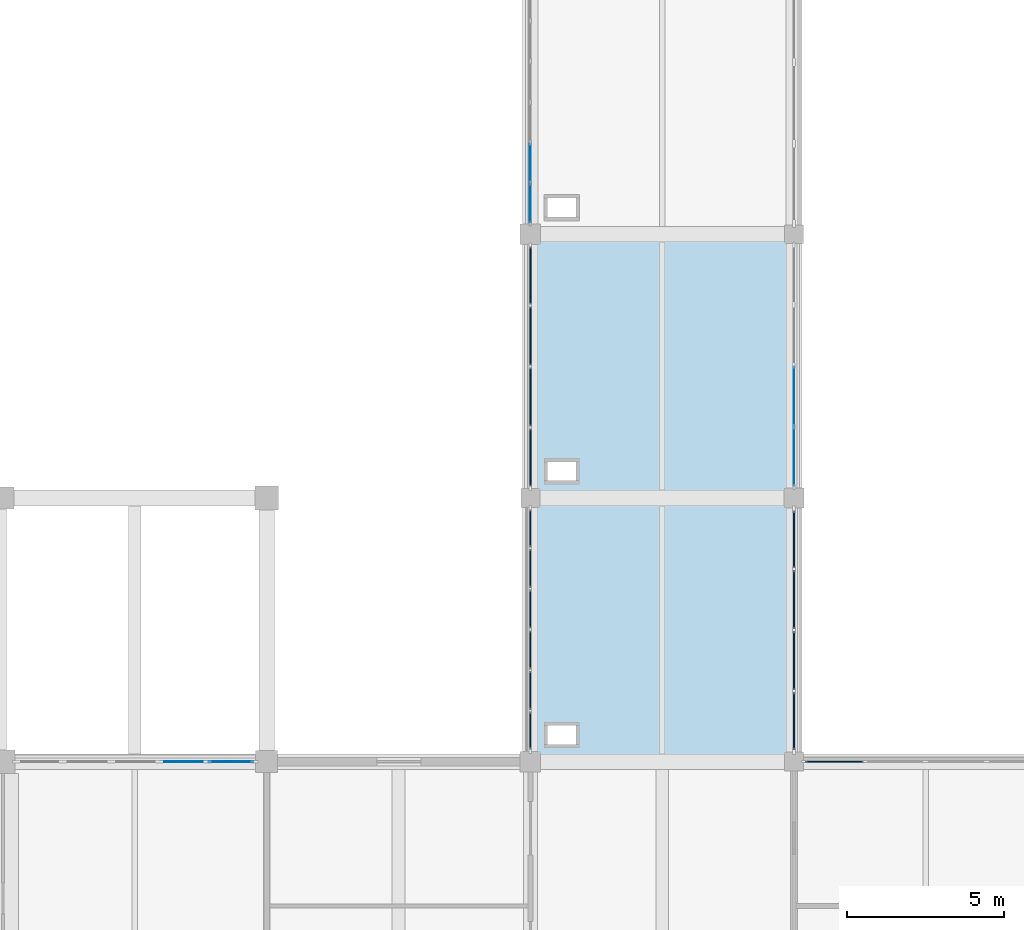
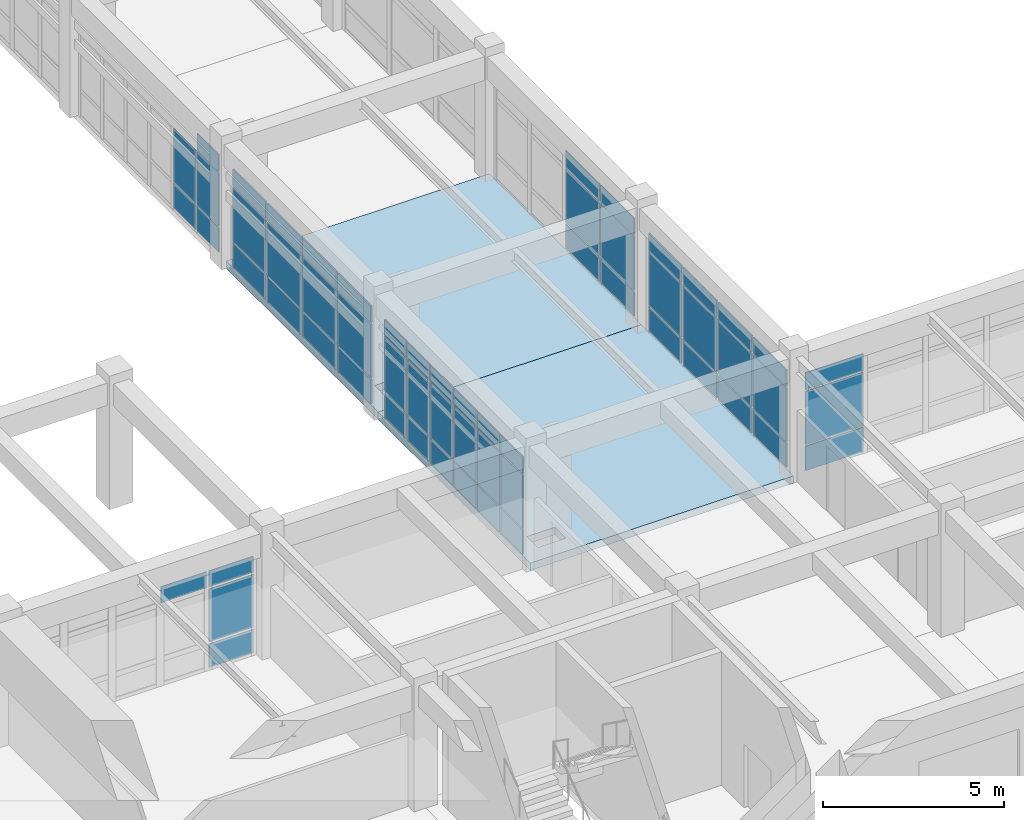
# One storey, part 69 of 99: 60 plates, 2 slabs, 7 elements without a shape of their own.
"""IFC4 building model written with IfcOpenShell, lengths in metres."""

import ifcopenshell
import ifcopenshell.guid

model = None  # the IFC model being written
_history = None  # IfcOwnerHistory: only IFC2X3 demands one
_inside = {}  # id of a spatial element -> (the spatial element, [elements in it])
_under = {}  # id of a project, library or spatial element -> (it, [spatial elements below it])
_declared = {}  # id of a project -> (the project, [libraries it declares])
_typed = {}  # id of a type object -> (the type object, [elements of that type])
_made_of = {}  # id of a material, layer set ... -> (it, [elements and type objects made of it])


def new_model(schema):
    """Start an empty IFC model of exactly this schema.

    Asked for "IFC4X3", IfcOpenShell would pick the latest addendum, in which some entities
    have other attributes; the version numbers below select the first issue.
    IFC2X3 requires an IfcOwnerHistory on every rooted entity: one is made here for all.
    """
    global model, _history
    if schema == "IFC4X3":
        model = ifcopenshell.file(schema_version=(4, 3, 0, 0))
    else:
        model = ifcopenshell.file(schema=schema)
    _inside.clear()
    _under.clear()
    _declared.clear()
    _typed.clear()
    _made_of.clear()
    _history = None
    if model.schema == "IFC2X3":
        org = make("IfcOrganization", Name="unknown")
        user = make(
            "IfcPersonAndOrganization",
            ThePerson=make("IfcPerson", FamilyName="unknown"),
            TheOrganization=org,
        )
        app = make(
            "IfcApplication",
            ApplicationDeveloper=org,
            Version="unknown",
            ApplicationFullName="unknown",
            ApplicationIdentifier="unknown",
        )
        _history = make(
            "IfcOwnerHistory",
            OwningUser=user,
            OwningApplication=app,
            ChangeAction="ADDED",
            CreationDate=0,
        )
    return model


def make(cls, **values):
    """One entity of the class cls with the attributes given. An attribute that is None is left unset."""
    return model.create_entity(
        cls, **{name: value for name, value in values.items() if value is not None}
    )


def rooted(cls, **values):
    """An entity with a GlobalId (a new one), such as an element, a storey or a relation."""
    return make(cls, GlobalId=ifcopenshell.guid.new(), OwnerHistory=_history, **values)


def si_unit(unit_type, name, prefix=None):
    """IfcSIUnit, for example si_unit("LENGTHUNIT", "METRE", prefix="MILLI")."""
    return make("IfcSIUnit", UnitType=unit_type, Prefix=prefix, Name=name)


def assignment(units):
    """IfcUnitAssignment: the units of a project."""
    return None if units is None else make("IfcUnitAssignment", Units=units)


def point(xyz):
    """IfcCartesianPoint."""
    return None if xyz is None else make("IfcCartesianPoint", Coordinates=xyz)


def direction(xyz):
    """IfcDirection."""
    return None if xyz is None else make("IfcDirection", DirectionRatios=xyz)


def frame(location, z_axis=None, x_axis=None):
    """IfcAxis2Placement3D, a coordinate frame: its origin and axes. An axis left out is left unset."""
    return make(
        "IfcAxis2Placement3D",
        Location=point(location),
        Axis=direction(z_axis),
        RefDirection=direction(x_axis),
    )


def frame_2d(location, x_axis=None):
    """IfcAxis2Placement2D, a coordinate frame in the plane: its origin and x axis."""
    return make(
        "IfcAxis2Placement2D", Location=point(location), RefDirection=direction(x_axis)
    )


def origin():
    """The frame at (0, 0, 0) with its axes left unset."""
    return frame((0.0, 0.0, 0.0))


def origin_2d():
    """The frame at (0, 0) in the plane with its x axis left unset."""
    return frame_2d((0.0, 0.0))


def place(relative_to, where):
    """IfcLocalPlacement: puts the frame where relative to a parent placement (None: the world)."""
    return make(
        "IfcLocalPlacement", PlacementRelTo=relative_to, RelativePlacement=where
    )


def context(
    kind, dimensions, precision=None, world=None, true_north=None, identifier=None
):
    """IfcGeometricRepresentationContext, for example the 3D "Model" context."""
    return make(
        "IfcGeometricRepresentationContext",
        ContextIdentifier=identifier,
        ContextType=kind,
        CoordinateSpaceDimension=dimensions,
        Precision=precision,
        WorldCoordinateSystem=world,
        TrueNorth=true_north,
    )


def subcontext(parent, identifier, kind, view, scale=None):
    """IfcGeometricRepresentationSubContext, for example "Body" below "Model"."""
    return make(
        "IfcGeometricRepresentationSubContext",
        ContextIdentifier=identifier,
        ContextType=kind,
        ParentContext=parent,
        TargetScale=scale,
        TargetView=view,
    )


def project(units=None, contexts=None):
    """IfcProject with its units and contexts."""
    return rooted(
        "IfcProject",
        Name="project",
        RepresentationContexts=contexts,
        UnitsInContext=assignment(units),
    )


def spatial(cls, under=None, at=None, **own):
    """A site, building, storey or space (cls), placed at a placement, below another one or the project."""
    s = rooted(cls, ObjectPlacement=at, **own)
    if under is not None:
        _under.setdefault(under.id(), (under, []))[1].append(s)
    return s


def polyline(points):
    """IfcPolyline through the points."""
    return make("IfcPolyline", Points=[point(p) for p in points])


def profile(cls, at=None, kind="AREA", **sizes):
    """A parametric profile (cls). Its sizes go by their IFC names, for example OverallWidth=200.0."""
    return make(cls, ProfileType=kind, Position=at, **sizes)


def rectangle(**sizes):
    """IfcRectangleProfileDef."""
    return profile("IfcRectangleProfileDef", **sizes)


def outline(outer, holes=None, kind="AREA"):
    """IfcArbitraryClosedProfileDef: a profile drawn as a closed curve; with holes, ...WithVoids."""
    if holes is None:
        return make("IfcArbitraryClosedProfileDef", ProfileType=kind, OuterCurve=outer)
    return make(
        "IfcArbitraryProfileDefWithVoids",
        ProfileType=kind,
        OuterCurve=outer,
        InnerCurves=holes,
    )


def extrude(swept, where, along, depth):
    """IfcExtrudedAreaSolid: the profile swept, set in the frame where, extruded along a direction by depth."""
    return make(
        "IfcExtrudedAreaSolid",
        SweptArea=swept,
        Position=where,
        ExtrudedDirection=direction(along),
        Depth=depth,
    )


def shape(context_of_items, identifier, shape_type, items):
    """IfcShapeRepresentation: the items that make up one representation, for example the "Body"."""
    return make(
        "IfcShapeRepresentation",
        ContextOfItems=context_of_items,
        RepresentationIdentifier=identifier,
        RepresentationType=shape_type,
        Items=items,
    )


def material(Name=None, Category=None):
    """IfcMaterial."""
    return make("IfcMaterial", Name=Name, Category=Category)


def layer(
    of_material, thickness, ventilated=None, Name=None, Category=None, Priority=None
):
    """IfcMaterialLayer: one layer of a wall or slab, of a material (None: an air gap)."""
    return make(
        "IfcMaterialLayer",
        Material=of_material,
        LayerThickness=thickness,
        IsVentilated=ventilated,
        Name=Name,
        Category=Category,
        Priority=Priority,
    )


def layer_set(layers, Name=None):
    """IfcMaterialLayerSet."""
    return make("IfcMaterialLayerSet", MaterialLayers=layers, LayerSetName=Name)


def made_of(thing, what):
    """Note that an element or type object is made of a material, layer set ...; save() writes the relation."""
    if what is not None:
        _made_of.setdefault(what.id(), (what, []))[1].append(thing)
    return thing


def type_object(cls, material=None, **own):
    """A type object (cls), such as IfcWallType, which elements share."""
    return made_of(rooted(cls, **own), material)


def element(
    cls,
    number,
    at=None,
    inside=None,
    cuts=None,
    type_object=None,
    material=None,
    context=None,
    identifier="Body",
    shape_type=None,
    held_by="IfcProductDefinitionShape",
    body=None,
    shapes=None,
    **own,
):
    """One element of the class cls, such as IfcWall. Its Tag is "e" and its number.

    at: its placement. inside: the storey or other place that contains it. cuts: it is an
    opening in that element (IfcRelVoidsElement). A single representation is given by context,
    identifier, shape_type and body (its items); several are given by shapes. held_by: the class
    of the entity that holds the representations. save() writes the other relations.
    """
    e = rooted(cls, Tag="e%d" % number, ObjectPlacement=at, **own)
    if body is not None:
        shapes = [shape(context, identifier, shape_type, body)]
    if shapes is not None:
        e.Representation = make(held_by, Representations=shapes)
    if inside is not None:
        _inside.setdefault(inside.id(), (inside, []))[1].append(e)
    if cuts is not None:
        rooted(
            "IfcRelVoidsElement", RelatingBuildingElement=cuts, RelatedOpeningElement=e
        )
    if type_object is not None:
        _typed.setdefault(type_object.id(), (type_object, []))[1].append(e)
    return made_of(e, material)


def aggregate(whole, parts):
    """IfcRelAggregates: a whole, such as a stair, and the parts it consists of."""
    return rooted("IfcRelAggregates", RelatingObject=whole, RelatedObjects=parts)


def save(model, path):
    """Write the relations noted so far, then the file.

    IfcRelAggregates (storeys below a building ...), IfcRelContainedInSpatialStructure (elements
    in a storey), IfcRelDefinesByType, IfcRelAssociatesMaterial and IfcRelDeclares: one each for
    every whole, place, type object, material and project.
    """
    for whole, parts in _under.values():
        aggregate(whole, parts)
    for where, things in _inside.values():
        rooted(
            "IfcRelContainedInSpatialStructure",
            RelatedElements=things,
            RelatingStructure=where,
        )
    for kind, things in _typed.values():
        rooted("IfcRelDefinesByType", RelatedObjects=things, RelatingType=kind)
    for what, things in _made_of.values():
        rooted("IfcRelAssociatesMaterial", RelatedObjects=things, RelatingMaterial=what)
    for by, libraries in _declared.values():
        rooted("IfcRelDeclares", RelatingContext=by, RelatedDefinitions=libraries)
    model.write(path)


model = new_model("IFC4")

# Units and contexts
model_context = context("Model", 3, precision=1e-05, world=origin(), true_north=direction((0.0, 1.0)))
body_context = subcontext(model_context, "Body", "Model", "MODEL_VIEW")
ifc_project = project(units=[si_unit("LENGTHUNIT", "METRE"), si_unit("AREAUNIT", "SQUARE_METRE"), si_unit("VOLUMEUNIT", "CUBIC_METRE"), si_unit("PLANEANGLEUNIT", "RADIAN"), si_unit("MASSUNIT", "GRAM", prefix="KILO")], contexts=[model_context])

# Site, building, storey
site_placement = place(None, origin())
site = spatial("IfcSite", under=ifc_project, at=site_placement, CompositionType="ELEMENT")
building_placement = place(site_placement, origin())
building = spatial("IfcBuilding", under=site, at=building_placement, Name="Porcellanite Civic Hall", CompositionType="ELEMENT")
storey_placement = place(building_placement, frame((0.0, 0.0, 5.760009765625)))
storey = spatial("IfcBuildingStorey", under=building, at=storey_placement, Name="L01", CompositionType="ELEMENT", Elevation=5.760009765625)

# Curtain wall, plates
ifc_material_1 = material(Name="Anodised aluminium and solar laminated glass", Category="aluminium")
ifc_layer_1 = layer(ifc_material_1, 0.179931640625)
ifc_layer_set_1 = layer_set([ifc_layer_1], Name="Anodised aluminium and solar laminated glass")
curtain_wall_type_1 = type_object("IfcCurtainWallType", Name="CW-SYS01", PredefinedType="NOTDEFINED", material=ifc_layer_set_1)
curtain_wall_1_placement = place(storey_placement, origin())
curtain_wall_1 = element("IfcCurtainWall", 1, at=curtain_wall_1_placement, inside=storey, type_object=curtain_wall_type_1, Name="Curtain wall CW-103", PredefinedType="NOTDEFINED")
ifc_material_2 = material(Name="Cyclone laminated solar-control low-E glass", Category="glass")
ifc_layer_2 = layer(ifc_material_2, 0.02392578125)
ifc_layer_set_2 = layer_set([ifc_layer_2], Name="Cyclone laminated solar-control low-E glass")
plate_type_1 = type_object("IfcPlateType", Name="CWP-01", PredefinedType="CURTAIN_PANEL", material=ifc_layer_set_2)
plate_1_placement = place(storey_placement, frame((106.547119140625, 67.199951171875, 2.784912109375), z_axis=(0.0, 0.0, 1.0), x_axis=(1.0, 0.0, 0.0)))
plate_1 = element("IfcPlate", 2, at=plate_1_placement, type_object=plate_type_1, Name="CW-103 panel 4.3", PredefinedType="CURTAIN_PANEL", context=body_context, shape_type="SweptSolid", body=[
    extrude(rectangle(XDim=1.45458984375, YDim=0.02392578125, at=origin_2d()), origin(), (0.0, 0.0, 1.0), 0.544921875),
])
plate_2_placement = place(storey_placement, frame((108.061767578125, 67.199951171875, 0.070068359375), z_axis=(0.0, 0.0, 1.0), x_axis=(1.0, 0.0, 0.0)))
plate_2 = element("IfcPlate", 3, at=plate_2_placement, type_object=plate_type_1, Name="CW-103 panel 5.1", PredefinedType="CURTAIN_PANEL", context=body_context, shape_type="SweptSolid", body=[
    extrude(rectangle(XDim=1.41455078125, YDim=0.02392578125, at=origin_2d()), origin(), (0.0, 0.0, 1.0), 0.794921875),
])
plate_3_placement = place(storey_placement, frame((108.061767578125, 67.199951171875, 0.93505859375), z_axis=(0.0, 0.0, 1.0), x_axis=(1.0, 0.0, 0.0)))
plate_3 = element("IfcPlate", 4, at=plate_3_placement, type_object=plate_type_1, Name="CW-103 panel 5.2", PredefinedType="CURTAIN_PANEL", context=body_context, shape_type="SweptSolid", body=[
    extrude(rectangle(XDim=1.41455078125, YDim=0.02392578125, at=origin_2d()), origin(), (0.0, 0.0, 1.0), 1.780029296875),
])
plate_4_placement = place(storey_placement, frame((108.061767578125, 67.199951171875, 2.784912109375), z_axis=(0.0, 0.0, 1.0), x_axis=(1.0, 0.0, 0.0)))
plate_4 = element("IfcPlate", 5, at=plate_4_placement, type_object=plate_type_1, Name="CW-103 panel 5.3", PredefinedType="CURTAIN_PANEL", context=body_context, shape_type="SweptSolid", body=[
    extrude(rectangle(XDim=1.41455078125, YDim=0.02392578125, at=origin_2d()), origin(), (0.0, 0.0, 1.0), 0.544921875),
])
aggregate(curtain_wall_1, [plate_1, plate_2, plate_3, plate_4])

ifc_material_3 = material(Name="Anodised aluminium and solar laminated glass", Category="aluminium")
ifc_layer_3 = layer(ifc_material_3, 0.179931640625)
ifc_layer_set_3 = layer_set([ifc_layer_3], Name="Anodised aluminium and solar laminated glass")
curtain_wall_type_2 = type_object("IfcCurtainWallType", Name="CW-SYS06", PredefinedType="NOTDEFINED", material=ifc_layer_set_3)
curtain_wall_2_placement = place(storey_placement, origin())
curtain_wall_2 = element("IfcCurtainWall", 6, at=curtain_wall_2_placement, inside=storey, type_object=curtain_wall_type_2, Name="Curtain wall CW-110", PredefinedType="NOTDEFINED")
plate_5_placement = place(storey_placement, frame((126.0, 78.8408203125, 0.0498046875), z_axis=(0.0, 0.0, 1.0), x_axis=(0.0, -1.0, 0.0)))
plate_5 = element("IfcPlate", 7, at=plate_5_placement, type_object=plate_type_1, Name="CW-110 panel 3.1", PredefinedType="CURTAIN_PANEL", context=body_context, shape_type="SweptSolid", body=[
    extrude(rectangle(XDim=1.878173828125, YDim=0.02392578125, at=origin_2d()), origin(), (0.0, 0.0, 1.0), 0.824951171875),
])
plate_6_placement = place(storey_placement, frame((126.0, 78.8408203125, 0.9248046875), z_axis=(0.0, 0.0, 1.0), x_axis=(0.0, -1.0, 0.0)))
plate_6 = element("IfcPlate", 8, at=plate_6_placement, type_object=plate_type_1, Name="CW-110 panel 3.2", PredefinedType="CURTAIN_PANEL", context=body_context, shape_type="SweptSolid", body=[
    extrude(rectangle(XDim=1.878173828125, YDim=0.02392578125, at=origin_2d()), origin(), (0.0, 0.0, 1.0), 1.800048828125),
])
plate_7_placement = place(storey_placement, frame((126.0, 78.8408203125, 2.77490234375), z_axis=(0.0, 0.0, 1.0), x_axis=(0.0, -1.0, 0.0)))
plate_7 = element("IfcPlate", 9, at=plate_7_placement, type_object=plate_type_1, Name="CW-110 panel 3.3", PredefinedType="CURTAIN_PANEL", context=body_context, shape_type="SweptSolid", body=[
    extrude(rectangle(XDim=1.878173828125, YDim=0.02392578125, at=origin_2d()), origin(), (0.0, 0.0, 1.0), 0.574951171875),
])
plate_8_placement = place(storey_placement, frame((126.0, 76.913818359375, 0.0498046875), z_axis=(0.0, 0.0, 1.0), x_axis=(0.0, -1.0, 0.0)))
plate_8 = element("IfcPlate", 10, at=plate_8_placement, type_object=plate_type_1, Name="CW-110 panel 4.1", PredefinedType="CURTAIN_PANEL", context=body_context, shape_type="SweptSolid", body=[
    extrude(rectangle(XDim=1.845703125, YDim=0.02392578125, at=origin_2d()), origin(), (0.0, 0.0, 1.0), 0.824951171875),
])
plate_9_placement = place(storey_placement, frame((126.0, 76.913818359375, 0.9248046875), z_axis=(0.0, 0.0, 1.0), x_axis=(0.0, -1.0, 0.0)))
plate_9 = element("IfcPlate", 11, at=plate_9_placement, type_object=plate_type_1, Name="CW-110 panel 4.2", PredefinedType="CURTAIN_PANEL", context=body_context, shape_type="SweptSolid", body=[
    extrude(rectangle(XDim=1.845703125, YDim=0.02392578125, at=origin_2d()), origin(), (0.0, 0.0, 1.0), 1.800048828125),
])
plate_10_placement = place(storey_placement, frame((126.0, 76.913818359375, 2.77490234375), z_axis=(0.0, 0.0, 1.0), x_axis=(0.0, -1.0, 0.0)))
plate_10 = element("IfcPlate", 12, at=plate_10_placement, type_object=plate_type_1, Name="CW-110 panel 4.3", PredefinedType="CURTAIN_PANEL", context=body_context, shape_type="SweptSolid", body=[
    extrude(rectangle(XDim=1.845703125, YDim=0.02392578125, at=origin_2d()), origin(), (0.0, 0.0, 1.0), 0.574951171875),
])
aggregate(curtain_wall_2, [plate_5, plate_6, plate_7, plate_8, plate_9, plate_10])

ifc_material_4 = material(Name="Anodised aluminium and solar laminated glass", Category="aluminium")
ifc_layer_4 = layer(ifc_material_4, 0.179931640625)
ifc_layer_set_4 = layer_set([ifc_layer_4], Name="Anodised aluminium and solar laminated glass")
curtain_wall_type_3 = type_object("IfcCurtainWallType", Name="CW-SYS07", PredefinedType="NOTDEFINED", material=ifc_layer_set_4)
curtain_wall_3_placement = place(storey_placement, origin())
curtain_wall_3 = element("IfcCurtainWall", 13, at=curtain_wall_3_placement, inside=storey, type_object=curtain_wall_type_3, Name="Curtain wall CW-111", PredefinedType="NOTDEFINED")
ifc_material_5 = material(Name="Cyclone laminated solar-control low-E glass", Category="glass")
ifc_layer_5 = layer(ifc_material_5, 0.02587890625)
ifc_layer_set_5 = layer_set([ifc_layer_5], Name="Cyclone laminated solar-control low-E glass")
plate_type_2 = type_object("IfcPlateType", Name="CWP-02", PredefinedType="CURTAIN_PANEL", material=ifc_layer_set_5)
plate_11_placement = place(storey_placement, frame((117.60009765625, 84.98876953125, 0.0498046875), z_axis=(0.0, 0.0, 1.0), x_axis=(0.0, 1.0, 0.0)))
plate_11 = element("IfcPlate", 14, at=plate_11_placement, type_object=plate_type_2, Name="CW-111 panel 1.1", PredefinedType="CURTAIN_PANEL", context=body_context, shape_type="SweptSolid", body=[
    extrude(rectangle(XDim=1.20556640625, YDim=0.02587890625, at=origin_2d()), origin(), (0.0, 0.0, 1.0), 0.824951171875),
])
plate_12_placement = place(storey_placement, frame((117.60009765625, 84.98876953125, 0.9248046875), z_axis=(0.0, 0.0, 1.0), x_axis=(0.0, 1.0, 0.0)))
plate_12 = element("IfcPlate", 15, at=plate_12_placement, type_object=plate_type_2, Name="CW-111 panel 1.2", PredefinedType="CURTAIN_PANEL", context=body_context, shape_type="SweptSolid", body=[
    extrude(rectangle(XDim=1.20556640625, YDim=0.02587890625, at=origin_2d()), origin(), (0.0, 0.0, 1.0), 1.800048828125),
])
plate_13_placement = place(storey_placement, frame((117.60009765625, 84.98876953125, 2.77490234375), z_axis=(0.0, 0.0, 1.0), x_axis=(0.0, 1.0, 0.0)))
plate_13 = element("IfcPlate", 16, at=plate_13_placement, type_object=plate_type_2, Name="CW-111 panel 1.3", PredefinedType="CURTAIN_PANEL", context=body_context, shape_type="SweptSolid", body=[
    extrude(rectangle(XDim=1.20556640625, YDim=0.02587890625, at=origin_2d()), origin(), (0.0, 0.0, 1.0), 0.574951171875),
])
plate_14_placement = place(storey_placement, frame((117.60009765625, 86.269287109375, 0.0498046875), z_axis=(0.0, 0.0, 1.0), x_axis=(0.0, 1.0, 0.0)))
plate_14 = element("IfcPlate", 17, at=plate_14_placement, type_object=plate_type_2, Name="CW-111 panel 2.1", PredefinedType="CURTAIN_PANEL", context=body_context, shape_type="SweptSolid", body=[
    extrude(rectangle(XDim=1.235595703125, YDim=0.02587890625, at=origin_2d()), origin(), (0.0, 0.0, 1.0), 0.824951171875),
])
plate_15_placement = place(storey_placement, frame((117.60009765625, 86.269287109375, 0.9248046875), z_axis=(0.0, 0.0, 1.0), x_axis=(0.0, 1.0, 0.0)))
plate_15 = element("IfcPlate", 18, at=plate_15_placement, type_object=plate_type_2, Name="CW-111 panel 2.2", PredefinedType="CURTAIN_PANEL", context=body_context, shape_type="SweptSolid", body=[
    extrude(rectangle(XDim=1.235595703125, YDim=0.02587890625, at=origin_2d()), origin(), (0.0, 0.0, 1.0), 1.800048828125),
])
aggregate(curtain_wall_3, [plate_11, plate_12, plate_13, plate_14, plate_15])

curtain_wall_4_placement = place(storey_placement, origin())
curtain_wall_4 = element("IfcCurtainWall", 19, at=curtain_wall_4_placement, inside=storey, type_object=curtain_wall_type_2, Name="Curtain wall CW-116", PredefinedType="NOTDEFINED")
ifc_material_6 = material(Name="Cyclone laminated solar-control low-E glass", Category="glass")
ifc_layer_6 = layer(ifc_material_6, 0.035888671875)
ifc_layer_set_6 = layer_set([ifc_layer_6], Name="Cyclone laminated solar-control low-E glass")
plate_type_3 = type_object("IfcPlateType", Name="CWP-07", PredefinedType="CURTAIN_PANEL", material=ifc_layer_set_6)
plate_16_placement = place(storey_placement, frame((127.288818359375, 67.199951171875, 0.0498046875), z_axis=(0.0, 0.0, 1.0), x_axis=(1.0, 0.0, 0.0)))
plate_16 = element("IfcPlate", 20, at=plate_16_placement, type_object=plate_type_3, Name="CW-116 panel 1.1", PredefinedType="CURTAIN_PANEL", context=body_context, shape_type="SweptSolid", body=[
    extrude(rectangle(XDim=1.845703125, YDim=0.035888671875, at=origin_2d()), origin(), (0.0, 0.0, 1.0), 0.824951171875),
])
plate_17_placement = place(storey_placement, frame((127.288818359375, 67.199951171875, 0.9248046875), z_axis=(0.0, 0.0, 1.0), x_axis=(1.0, 0.0, 0.0)))
plate_17 = element("IfcPlate", 21, at=plate_17_placement, type_object=plate_type_3, Name="CW-116 panel 1.2", PredefinedType="CURTAIN_PANEL", context=body_context, shape_type="SweptSolid", body=[
    extrude(rectangle(XDim=1.845703125, YDim=0.035888671875, at=origin_2d()), origin(), (0.0, 0.0, 1.0), 1.800048828125),
])
plate_18_placement = place(storey_placement, frame((127.288818359375, 67.199951171875, 2.77490234375), z_axis=(0.0, 0.0, 1.0), x_axis=(1.0, 0.0, 0.0)))
plate_18 = element("IfcPlate", 22, at=plate_18_placement, type_object=plate_type_3, Name="CW-116 panel 1.3", PredefinedType="CURTAIN_PANEL", context=body_context, shape_type="SweptSolid", body=[
    extrude(rectangle(XDim=1.845703125, YDim=0.035888671875, at=origin_2d()), origin(), (0.0, 0.0, 1.0), 0.574951171875),
])
aggregate(curtain_wall_4, [plate_16, plate_17, plate_18])

curtain_wall_5_placement = place(storey_placement, origin())
curtain_wall_5 = element("IfcCurtainWall", 23, at=curtain_wall_5_placement, inside=storey, type_object=curtain_wall_type_1, Name="Curtain wall CW-107", PredefinedType="NOTDEFINED")
ifc_material_7 = material(Name="Insulated ochre aluminium spandrel panel", Category="aluminium")
ifc_layer_7 = layer(ifc_material_7, 0.0380859375)
ifc_layer_set_7 = layer_set([ifc_layer_7], Name="Insulated ochre aluminium spandrel panel")
plate_type_4 = type_object("IfcPlateType", Name="CWP-08", PredefinedType="CURTAIN_PANEL", material=ifc_layer_set_7)
plate_19_placement = place(storey_placement, frame((117.60009765625, 68.191162109375, 0.06005859375), z_axis=(0.0, 0.0, 1.0), x_axis=(0.0, 1.0, 0.0)))
plate_19 = element("IfcPlate", 24, at=plate_19_placement, type_object=plate_type_4, Name="CW-107 panel 1.1", PredefinedType="CURTAIN_PANEL", context=body_context, shape_type="SweptSolid", body=[
    extrude(rectangle(XDim=1.1904296875, YDim=0.0380859375, at=origin_2d()), origin(), (0.0, 0.0, 1.0), 0.81005859375),
])
plate_20_placement = place(storey_placement, frame((117.60009765625, 68.191162109375, 0.929931640625), z_axis=(0.0, 0.0, 1.0), x_axis=(0.0, 1.0, 0.0)))
plate_20 = element("IfcPlate", 25, at=plate_20_placement, type_object=plate_type_4, Name="CW-107 panel 1.2", PredefinedType="CURTAIN_PANEL", context=body_context, shape_type="SweptSolid", body=[
    extrude(rectangle(XDim=1.1904296875, YDim=0.0380859375, at=origin_2d()), origin(), (0.0, 0.0, 1.0), 1.7900390625),
])
plate_21_placement = place(storey_placement, frame((117.60009765625, 68.191162109375, 2.780029296875), z_axis=(0.0, 0.0, 1.0), x_axis=(0.0, 1.0, 0.0)))
plate_21 = element("IfcPlate", 26, at=plate_21_placement, type_object=plate_type_4, Name="CW-107 panel 1.3", PredefinedType="CURTAIN_PANEL", context=body_context, shape_type="SweptSolid", body=[
    extrude(rectangle(XDim=1.1904296875, YDim=0.0380859375, at=origin_2d()), origin(), (0.0, 0.0, 1.0), 0.56005859375),
])
plate_22_placement = place(storey_placement, frame((117.60009765625, 69.46923828125, 0.06005859375), z_axis=(0.0, 0.0, 1.0), x_axis=(0.0, 1.0, 0.0)))
plate_22 = element("IfcPlate", 27, at=plate_22_placement, type_object=plate_type_4, Name="CW-107 panel 2.1", PredefinedType="CURTAIN_PANEL", context=body_context, shape_type="SweptSolid", body=[
    extrude(rectangle(XDim=1.2255859375, YDim=0.0380859375, at=origin_2d()), origin(), (0.0, 0.0, 1.0), 0.81005859375),
])
plate_23_placement = place(storey_placement, frame((117.60009765625, 69.46923828125, 0.929931640625), z_axis=(0.0, 0.0, 1.0), x_axis=(0.0, 1.0, 0.0)))
plate_23 = element("IfcPlate", 28, at=plate_23_placement, type_object=plate_type_4, Name="CW-107 panel 2.2", PredefinedType="CURTAIN_PANEL", context=body_context, shape_type="SweptSolid", body=[
    extrude(rectangle(XDim=1.2255859375, YDim=0.0380859375, at=origin_2d()), origin(), (0.0, 0.0, 1.0), 1.7900390625),
])
plate_24_placement = place(storey_placement, frame((117.60009765625, 69.46923828125, 2.780029296875), z_axis=(0.0, 0.0, 1.0), x_axis=(0.0, 1.0, 0.0)))
plate_24 = element("IfcPlate", 29, at=plate_24_placement, type_object=plate_type_4, Name="CW-107 panel 2.3", PredefinedType="CURTAIN_PANEL", context=body_context, shape_type="SweptSolid", body=[
    extrude(rectangle(XDim=1.2255859375, YDim=0.0380859375, at=origin_2d()), origin(), (0.0, 0.0, 1.0), 0.56005859375),
])
plate_25_placement = place(storey_placement, frame((117.60009765625, 70.7646484375, 0.06005859375), z_axis=(0.0, 0.0, 1.0), x_axis=(0.0, 1.0, 0.0)))
plate_25 = element("IfcPlate", 30, at=plate_25_placement, type_object=plate_type_4, Name="CW-107 panel 3.1", PredefinedType="CURTAIN_PANEL", context=body_context, shape_type="SweptSolid", body=[
    extrude(rectangle(XDim=1.2255859375, YDim=0.0380859375, at=origin_2d()), origin(), (0.0, 0.0, 1.0), 0.81005859375),
])
plate_26_placement = place(storey_placement, frame((117.60009765625, 70.7646484375, 0.929931640625), z_axis=(0.0, 0.0, 1.0), x_axis=(0.0, 1.0, 0.0)))
plate_26 = element("IfcPlate", 31, at=plate_26_placement, type_object=plate_type_4, Name="CW-107 panel 3.2", PredefinedType="CURTAIN_PANEL", context=body_context, shape_type="SweptSolid", body=[
    extrude(rectangle(XDim=1.2255859375, YDim=0.0380859375, at=origin_2d()), origin(), (0.0, 0.0, 1.0), 1.7900390625),
])
plate_27_placement = place(storey_placement, frame((117.60009765625, 70.7646484375, 2.780029296875), z_axis=(0.0, 0.0, 1.0), x_axis=(0.0, 1.0, 0.0)))
plate_27 = element("IfcPlate", 32, at=plate_27_placement, type_object=plate_type_4, Name="CW-107 panel 3.3", PredefinedType="CURTAIN_PANEL", context=body_context, shape_type="SweptSolid", body=[
    extrude(rectangle(XDim=1.2255859375, YDim=0.0380859375, at=origin_2d()), origin(), (0.0, 0.0, 1.0), 0.56005859375),
])
plate_28_placement = place(storey_placement, frame((117.60009765625, 72.060302734375, 0.06005859375), z_axis=(0.0, 0.0, 1.0), x_axis=(0.0, 1.0, 0.0)))
plate_28 = element("IfcPlate", 33, at=plate_28_placement, type_object=plate_type_4, Name="CW-107 panel 4.1", PredefinedType="CURTAIN_PANEL", context=body_context, shape_type="SweptSolid", body=[
    extrude(rectangle(XDim=1.2255859375, YDim=0.0380859375, at=origin_2d()), origin(), (0.0, 0.0, 1.0), 0.81005859375),
])
plate_29_placement = place(storey_placement, frame((117.60009765625, 72.060302734375, 0.929931640625), z_axis=(0.0, 0.0, 1.0), x_axis=(0.0, 1.0, 0.0)))
plate_29 = element("IfcPlate", 34, at=plate_29_placement, type_object=plate_type_4, Name="CW-107 panel 4.2", PredefinedType="CURTAIN_PANEL", context=body_context, shape_type="SweptSolid", body=[
    extrude(rectangle(XDim=1.2255859375, YDim=0.0380859375, at=origin_2d()), origin(), (0.0, 0.0, 1.0), 1.7900390625),
])
plate_30_placement = place(storey_placement, frame((117.60009765625, 72.060302734375, 2.780029296875), z_axis=(0.0, 0.0, 1.0), x_axis=(0.0, 1.0, 0.0)))
plate_30 = element("IfcPlate", 35, at=plate_30_placement, type_object=plate_type_4, Name="CW-107 panel 4.3", PredefinedType="CURTAIN_PANEL", context=body_context, shape_type="SweptSolid", body=[
    extrude(rectangle(XDim=1.2255859375, YDim=0.0380859375, at=origin_2d()), origin(), (0.0, 0.0, 1.0), 0.56005859375),
])
plate_31_placement = place(storey_placement, frame((117.60009765625, 73.355712890625, 0.06005859375), z_axis=(0.0, 0.0, 1.0), x_axis=(0.0, 1.0, 0.0)))
plate_31 = element("IfcPlate", 36, at=plate_31_placement, type_object=plate_type_4, Name="CW-107 panel 5.1", PredefinedType="CURTAIN_PANEL", context=body_context, shape_type="SweptSolid", body=[
    extrude(rectangle(XDim=1.2255859375, YDim=0.0380859375, at=origin_2d()), origin(), (0.0, 0.0, 1.0), 0.81005859375),
])
plate_32_placement = place(storey_placement, frame((117.60009765625, 73.355712890625, 0.929931640625), z_axis=(0.0, 0.0, 1.0), x_axis=(0.0, 1.0, 0.0)))
plate_32 = element("IfcPlate", 37, at=plate_32_placement, type_object=plate_type_4, Name="CW-107 panel 5.2", PredefinedType="CURTAIN_PANEL", context=body_context, shape_type="SweptSolid", body=[
    extrude(rectangle(XDim=1.2255859375, YDim=0.0380859375, at=origin_2d()), origin(), (0.0, 0.0, 1.0), 1.7900390625),
])
plate_33_placement = place(storey_placement, frame((117.60009765625, 73.355712890625, 2.780029296875), z_axis=(0.0, 0.0, 1.0), x_axis=(0.0, 1.0, 0.0)))
plate_33 = element("IfcPlate", 38, at=plate_33_placement, type_object=plate_type_4, Name="CW-107 panel 5.3", PredefinedType="CURTAIN_PANEL", context=body_context, shape_type="SweptSolid", body=[
    extrude(rectangle(XDim=1.2255859375, YDim=0.0380859375, at=origin_2d()), origin(), (0.0, 0.0, 1.0), 0.56005859375),
])
plate_34_placement = place(storey_placement, frame((117.60009765625, 74.6337890625, 0.06005859375), z_axis=(0.0, 0.0, 1.0), x_axis=(0.0, 1.0, 0.0)))
plate_34 = element("IfcPlate", 39, at=plate_34_placement, type_object=plate_type_4, Name="CW-107 panel 6.1", PredefinedType="CURTAIN_PANEL", context=body_context, shape_type="SweptSolid", body=[
    extrude(rectangle(XDim=1.1904296875, YDim=0.0380859375, at=origin_2d()), origin(), (0.0, 0.0, 1.0), 0.81005859375),
])
plate_35_placement = place(storey_placement, frame((117.60009765625, 74.6337890625, 0.929931640625), z_axis=(0.0, 0.0, 1.0), x_axis=(0.0, 1.0, 0.0)))
plate_35 = element("IfcPlate", 40, at=plate_35_placement, type_object=plate_type_4, Name="CW-107 panel 6.2", PredefinedType="CURTAIN_PANEL", context=body_context, shape_type="SweptSolid", body=[
    extrude(rectangle(XDim=1.1904296875, YDim=0.0380859375, at=origin_2d()), origin(), (0.0, 0.0, 1.0), 1.7900390625),
])
plate_36_placement = place(storey_placement, frame((117.60009765625, 74.6337890625, 2.780029296875), z_axis=(0.0, 0.0, 1.0), x_axis=(0.0, 1.0, 0.0)))
plate_36 = element("IfcPlate", 41, at=plate_36_placement, type_object=plate_type_4, Name="CW-107 panel 6.3", PredefinedType="CURTAIN_PANEL", context=body_context, shape_type="SweptSolid", body=[
    extrude(rectangle(XDim=1.1904296875, YDim=0.0380859375, at=origin_2d()), origin(), (0.0, 0.0, 1.0), 0.56005859375),
])
aggregate(curtain_wall_5, [plate_19, plate_20, plate_21, plate_22, plate_23, plate_24, plate_25, plate_26, plate_27, plate_28, plate_29, plate_30, plate_31, plate_32, plate_33, plate_34, plate_35, plate_36])

ifc_material_8 = material(Name="Anodised aluminium and solar laminated glass", Category="aluminium")
ifc_layer_8 = layer(ifc_material_8, 0.179931640625)
ifc_layer_set_8 = layer_set([ifc_layer_8], Name="Anodised aluminium and solar laminated glass")
curtain_wall_type_4 = type_object("IfcCurtainWallType", Name="CW-SYS03", PredefinedType="NOTDEFINED", material=ifc_layer_set_8)
curtain_wall_6_placement = place(storey_placement, origin())
curtain_wall_6 = element("IfcCurtainWall", 42, at=curtain_wall_6_placement, inside=storey, type_object=curtain_wall_type_4, Name="Curtain wall CW-108", PredefinedType="NOTDEFINED")
ifc_material_9 = material(Name="Insulated ochre aluminium spandrel panel", Category="aluminium")
ifc_layer_9 = layer(ifc_material_9, 0.0419921875)
ifc_layer_set_9 = layer_set([ifc_layer_9], Name="Insulated ochre aluminium spandrel panel")
plate_type_5 = type_object("IfcPlateType", Name="CWP-09", PredefinedType="CURTAIN_PANEL", material=ifc_layer_set_9)
plate_37_placement = place(storey_placement, frame((126.0, 74.282470703125, 0.054931640625), z_axis=(0.0, 0.0, 1.0), x_axis=(0.0, -1.0, 0.0)))
plate_37 = element("IfcPlate", 43, at=plate_37_placement, type_object=plate_type_5, Name="CW-108 panel 1.1", PredefinedType="CURTAIN_PANEL", context=body_context, shape_type="SweptSolid", body=[
    extrude(rectangle(XDim=1.8232421875, YDim=0.0419921875, at=origin_2d()), origin(), (0.0, 0.0, 1.0), 0.8173828125),
])
plate_38_placement = place(storey_placement, frame((126.0, 74.282470703125, 0.927490234375), z_axis=(0.0, 0.0, 1.0), x_axis=(0.0, -1.0, 0.0)))
plate_38 = element("IfcPlate", 44, at=plate_38_placement, type_object=plate_type_5, Name="CW-108 panel 1.2", PredefinedType="CURTAIN_PANEL", context=body_context, shape_type="SweptSolid", body=[
    extrude(rectangle(XDim=1.8232421875, YDim=0.0419921875, at=origin_2d()), origin(), (0.0, 0.0, 1.0), 1.794921875),
])
plate_39_placement = place(storey_placement, frame((126.0, 74.282470703125, 2.777587890625), z_axis=(0.0, 0.0, 1.0), x_axis=(0.0, -1.0, 0.0)))
plate_39 = element("IfcPlate", 45, at=plate_39_placement, type_object=plate_type_5, Name="CW-108 panel 1.3", PredefinedType="CURTAIN_PANEL", context=body_context, shape_type="SweptSolid", body=[
    extrude(rectangle(XDim=1.8232421875, YDim=0.0419921875, at=origin_2d()), origin(), (0.0, 0.0, 1.0), 0.5673828125),
])
plate_40_placement = place(storey_placement, frame((126.0, 72.359130859375, 0.054931640625), z_axis=(0.0, 0.0, 1.0), x_axis=(0.0, -1.0, 0.0)))
plate_40 = element("IfcPlate", 46, at=plate_40_placement, type_object=plate_type_5, Name="CW-108 panel 2.1", PredefinedType="CURTAIN_PANEL", context=body_context, shape_type="SweptSolid", body=[
    extrude(rectangle(XDim=1.86328125, YDim=0.0419921875, at=origin_2d()), origin(), (0.0, 0.0, 1.0), 0.8173828125),
])
plate_41_placement = place(storey_placement, frame((126.0, 72.359130859375, 0.927490234375), z_axis=(0.0, 0.0, 1.0), x_axis=(0.0, -1.0, 0.0)))
plate_41 = element("IfcPlate", 47, at=plate_41_placement, type_object=plate_type_5, Name="CW-108 panel 2.2", PredefinedType="CURTAIN_PANEL", context=body_context, shape_type="SweptSolid", body=[
    extrude(rectangle(XDim=1.86328125, YDim=0.0419921875, at=origin_2d()), origin(), (0.0, 0.0, 1.0), 1.794921875),
])
plate_42_placement = place(storey_placement, frame((126.0, 72.359130859375, 2.777587890625), z_axis=(0.0, 0.0, 1.0), x_axis=(0.0, -1.0, 0.0)))
plate_42 = element("IfcPlate", 48, at=plate_42_placement, type_object=plate_type_5, Name="CW-108 panel 2.3", PredefinedType="CURTAIN_PANEL", context=body_context, shape_type="SweptSolid", body=[
    extrude(rectangle(XDim=1.86328125, YDim=0.0419921875, at=origin_2d()), origin(), (0.0, 0.0, 1.0), 0.5673828125),
])
plate_43_placement = place(storey_placement, frame((126.0, 70.415771484375, 0.054931640625), z_axis=(0.0, 0.0, 1.0), x_axis=(0.0, -1.0, 0.0)))
plate_43 = element("IfcPlate", 49, at=plate_43_placement, type_object=plate_type_5, Name="CW-108 panel 3.1", PredefinedType="CURTAIN_PANEL", context=body_context, shape_type="SweptSolid", body=[
    extrude(rectangle(XDim=1.86328125, YDim=0.0419921875, at=origin_2d()), origin(), (0.0, 0.0, 1.0), 0.8173828125),
])
plate_44_placement = place(storey_placement, frame((126.0, 70.415771484375, 0.927490234375), z_axis=(0.0, 0.0, 1.0), x_axis=(0.0, -1.0, 0.0)))
plate_44 = element("IfcPlate", 50, at=plate_44_placement, type_object=plate_type_5, Name="CW-108 panel 3.2", PredefinedType="CURTAIN_PANEL", context=body_context, shape_type="SweptSolid", body=[
    extrude(rectangle(XDim=1.86328125, YDim=0.0419921875, at=origin_2d()), origin(), (0.0, 0.0, 1.0), 1.794921875),
])
plate_45_placement = place(storey_placement, frame((126.0, 70.415771484375, 2.777587890625), z_axis=(0.0, 0.0, 1.0), x_axis=(0.0, -1.0, 0.0)))
plate_45 = element("IfcPlate", 51, at=plate_45_placement, type_object=plate_type_5, Name="CW-108 panel 3.3", PredefinedType="CURTAIN_PANEL", context=body_context, shape_type="SweptSolid", body=[
    extrude(rectangle(XDim=1.86328125, YDim=0.0419921875, at=origin_2d()), origin(), (0.0, 0.0, 1.0), 0.5673828125),
])
plate_46_placement = place(storey_placement, frame((126.0, 68.49267578125, 0.054931640625), z_axis=(0.0, 0.0, 1.0), x_axis=(0.0, -1.0, 0.0)))
plate_46 = element("IfcPlate", 52, at=plate_46_placement, type_object=plate_type_5, Name="CW-108 panel 4.1", PredefinedType="CURTAIN_PANEL", context=body_context, shape_type="SweptSolid", body=[
    extrude(rectangle(XDim=1.8232421875, YDim=0.0419921875, at=origin_2d()), origin(), (0.0, 0.0, 1.0), 0.8173828125),
])
plate_47_placement = place(storey_placement, frame((126.0, 68.49267578125, 0.927490234375), z_axis=(0.0, 0.0, 1.0), x_axis=(0.0, -1.0, 0.0)))
plate_47 = element("IfcPlate", 53, at=plate_47_placement, type_object=plate_type_5, Name="CW-108 panel 4.2", PredefinedType="CURTAIN_PANEL", context=body_context, shape_type="SweptSolid", body=[
    extrude(rectangle(XDim=1.8232421875, YDim=0.0419921875, at=origin_2d()), origin(), (0.0, 0.0, 1.0), 1.794921875),
])
plate_48_placement = place(storey_placement, frame((126.0, 68.49267578125, 2.777587890625), z_axis=(0.0, 0.0, 1.0), x_axis=(0.0, -1.0, 0.0)))
plate_48 = element("IfcPlate", 54, at=plate_48_placement, type_object=plate_type_5, Name="CW-108 panel 4.3", PredefinedType="CURTAIN_PANEL", context=body_context, shape_type="SweptSolid", body=[
    extrude(rectangle(XDim=1.8232421875, YDim=0.0419921875, at=origin_2d()), origin(), (0.0, 0.0, 1.0), 0.5673828125),
])
aggregate(curtain_wall_6, [plate_37, plate_38, plate_39, plate_40, plate_41, plate_42, plate_43, plate_44, plate_45, plate_46, plate_47, plate_48])

ifc_material_10 = material(Name="Anodised aluminium and solar laminated glass", Category="aluminium")
ifc_layer_10 = layer(ifc_material_10, 0.179931640625)
ifc_layer_set_10 = layer_set([ifc_layer_10], Name="Anodised aluminium and solar laminated glass")
curtain_wall_type_5 = type_object("IfcCurtainWallType", Name="CW-SYS04", PredefinedType="NOTDEFINED", material=ifc_layer_set_10)
curtain_wall_7_placement = place(storey_placement, origin())
curtain_wall_7 = element("IfcCurtainWall", 55, at=curtain_wall_7_placement, inside=storey, type_object=curtain_wall_type_5, Name="Curtain wall CW-109", PredefinedType="NOTDEFINED")
ifc_material_11 = material(Name="Insulated ochre aluminium spandrel panel", Category="aluminium")
ifc_layer_11 = layer(ifc_material_11, 0.0458984375)
ifc_layer_set_11 = layer_set([ifc_layer_11], Name="Insulated ochre aluminium spandrel panel")
plate_type_6 = type_object("IfcPlateType", Name="CWP-10", PredefinedType="CURTAIN_PANEL", material=ifc_layer_set_11)
plate_49_placement = place(storey_placement, frame((117.60009765625, 76.891357421875, 0.054931640625), z_axis=(0.0, 0.0, 1.0), x_axis=(0.0, 1.0, 0.0)))
plate_49 = element("IfcPlate", 56, at=plate_49_placement, type_object=plate_type_6, Name="CW-109 panel 1.1", PredefinedType="CURTAIN_PANEL", context=body_context, shape_type="SweptSolid", body=[
    extrude(rectangle(XDim=1.830810546875, YDim=0.0458984375, at=origin_2d()), origin(), (0.0, 0.0, 1.0), 0.8173828125),
])
plate_50_placement = place(storey_placement, frame((117.60009765625, 76.891357421875, 0.927490234375), z_axis=(0.0, 0.0, 1.0), x_axis=(0.0, 1.0, 0.0)))
plate_50 = element("IfcPlate", 57, at=plate_50_placement, type_object=plate_type_6, Name="CW-109 panel 1.2", PredefinedType="CURTAIN_PANEL", context=body_context, shape_type="SweptSolid", body=[
    extrude(rectangle(XDim=1.830810546875, YDim=0.0458984375, at=origin_2d()), origin(), (0.0, 0.0, 1.0), 1.794921875),
])
plate_51_placement = place(storey_placement, frame((117.60009765625, 76.891357421875, 2.777587890625), z_axis=(0.0, 0.0, 1.0), x_axis=(0.0, 1.0, 0.0)))
plate_51 = element("IfcPlate", 58, at=plate_51_placement, type_object=plate_type_6, Name="CW-109 panel 1.3", PredefinedType="CURTAIN_PANEL", context=body_context, shape_type="SweptSolid", body=[
    extrude(rectangle(XDim=1.830810546875, YDim=0.0458984375, at=origin_2d()), origin(), (0.0, 0.0, 1.0), 0.5673828125),
])
plate_52_placement = place(storey_placement, frame((117.60009765625, 78.81591796875, 0.054931640625), z_axis=(0.0, 0.0, 1.0), x_axis=(0.0, 1.0, 0.0)))
plate_52 = element("IfcPlate", 59, at=plate_52_placement, type_object=plate_type_6, Name="CW-109 panel 2.1", PredefinedType="CURTAIN_PANEL", context=body_context, shape_type="SweptSolid", body=[
    extrude(rectangle(XDim=1.8681640625, YDim=0.0458984375, at=origin_2d()), origin(), (0.0, 0.0, 1.0), 0.8173828125),
])
plate_53_placement = place(storey_placement, frame((117.60009765625, 78.81591796875, 0.927490234375), z_axis=(0.0, 0.0, 1.0), x_axis=(0.0, 1.0, 0.0)))
plate_53 = element("IfcPlate", 60, at=plate_53_placement, type_object=plate_type_6, Name="CW-109 panel 2.2", PredefinedType="CURTAIN_PANEL", context=body_context, shape_type="SweptSolid", body=[
    extrude(rectangle(XDim=1.8681640625, YDim=0.0458984375, at=origin_2d()), origin(), (0.0, 0.0, 1.0), 1.794921875),
])
plate_54_placement = place(storey_placement, frame((117.60009765625, 78.81591796875, 2.777587890625), z_axis=(0.0, 0.0, 1.0), x_axis=(0.0, 1.0, 0.0)))
plate_54 = element("IfcPlate", 61, at=plate_54_placement, type_object=plate_type_6, Name="CW-109 panel 2.3", PredefinedType="CURTAIN_PANEL", context=body_context, shape_type="SweptSolid", body=[
    extrude(rectangle(XDim=1.8681640625, YDim=0.0458984375, at=origin_2d()), origin(), (0.0, 0.0, 1.0), 0.5673828125),
])
plate_55_placement = place(storey_placement, frame((117.60009765625, 80.759033203125, 0.054931640625), z_axis=(0.0, 0.0, 1.0), x_axis=(0.0, 1.0, 0.0)))
plate_55 = element("IfcPlate", 62, at=plate_55_placement, type_object=plate_type_6, Name="CW-109 panel 3.1", PredefinedType="CURTAIN_PANEL", context=body_context, shape_type="SweptSolid", body=[
    extrude(rectangle(XDim=1.8681640625, YDim=0.0458984375, at=origin_2d()), origin(), (0.0, 0.0, 1.0), 0.8173828125),
])
plate_56_placement = place(storey_placement, frame((117.60009765625, 80.759033203125, 0.927490234375), z_axis=(0.0, 0.0, 1.0), x_axis=(0.0, 1.0, 0.0)))
plate_56 = element("IfcPlate", 63, at=plate_56_placement, type_object=plate_type_6, Name="CW-109 panel 3.2", PredefinedType="CURTAIN_PANEL", context=body_context, shape_type="SweptSolid", body=[
    extrude(rectangle(XDim=1.8681640625, YDim=0.0458984375, at=origin_2d()), origin(), (0.0, 0.0, 1.0), 1.794921875),
])
plate_57_placement = place(storey_placement, frame((117.60009765625, 80.759033203125, 2.777587890625), z_axis=(0.0, 0.0, 1.0), x_axis=(0.0, 1.0, 0.0)))
plate_57 = element("IfcPlate", 64, at=plate_57_placement, type_object=plate_type_6, Name="CW-109 panel 3.3", PredefinedType="CURTAIN_PANEL", context=body_context, shape_type="SweptSolid", body=[
    extrude(rectangle(XDim=1.8681640625, YDim=0.0458984375, at=origin_2d()), origin(), (0.0, 0.0, 1.0), 0.5673828125),
])
plate_58_placement = place(storey_placement, frame((117.60009765625, 82.68359375, 0.054931640625), z_axis=(0.0, 0.0, 1.0), x_axis=(0.0, 1.0, 0.0)))
plate_58 = element("IfcPlate", 65, at=plate_58_placement, type_object=plate_type_6, Name="CW-109 panel 4.1", PredefinedType="CURTAIN_PANEL", context=body_context, shape_type="SweptSolid", body=[
    extrude(rectangle(XDim=1.830810546875, YDim=0.0458984375, at=origin_2d()), origin(), (0.0, 0.0, 1.0), 0.8173828125),
])
plate_59_placement = place(storey_placement, frame((117.60009765625, 82.68359375, 0.927490234375), z_axis=(0.0, 0.0, 1.0), x_axis=(0.0, 1.0, 0.0)))
plate_59 = element("IfcPlate", 66, at=plate_59_placement, type_object=plate_type_6, Name="CW-109 panel 4.2", PredefinedType="CURTAIN_PANEL", context=body_context, shape_type="SweptSolid", body=[
    extrude(rectangle(XDim=1.830810546875, YDim=0.0458984375, at=origin_2d()), origin(), (0.0, 0.0, 1.0), 1.794921875),
])
plate_60_placement = place(storey_placement, frame((117.60009765625, 82.68359375, 2.777587890625), z_axis=(0.0, 0.0, 1.0), x_axis=(0.0, 1.0, 0.0)))
plate_60 = element("IfcPlate", 67, at=plate_60_placement, type_object=plate_type_6, Name="CW-109 panel 4.3", PredefinedType="CURTAIN_PANEL", context=body_context, shape_type="SweptSolid", body=[
    extrude(rectangle(XDim=1.830810546875, YDim=0.0458984375, at=origin_2d()), origin(), (0.0, 0.0, 1.0), 0.5673828125),
])
aggregate(curtain_wall_7, [plate_49, plate_50, plate_51, plate_52, plate_53, plate_54, plate_55, plate_56, plate_57, plate_58, plate_59, plate_60])

# Slabs
ifc_material_12 = material(Name="Concrete N40 (40 MPa)", Category="concrete")
ifc_layer_12 = layer(ifc_material_12, 0.25)
ifc_layer_set_12 = layer_set([ifc_layer_12], Name="Concrete N40 (40 MPa)")
slab_type = type_object("IfcSlabType", Name="SL-FL250", PredefinedType="FLOOR", material=ifc_layer_set_12)
slab_1_placement = place(storey_placement, frame((0.0, 0.0, -0.25)))
element("IfcSlab", 68, at=slab_1_placement, inside=storey, type_object=slab_type, Name="Slab L01 bay 15-9", PredefinedType="FLOOR", context=body_context, shape_type="SweptSolid", body=[
    extrude(outline(polyline([(117.60009765625, 67.199951171875), (126.0, 67.199951171875), (126.0, 75.60009765625), (117.60009765625, 75.60009765625), (117.60009765625, 67.199951171875)]), holes=[polyline([(118.14990234375, 67.75), (119.050048828125, 67.75), (119.050048828125, 68.35009765625), (118.14990234375, 68.35009765625), (118.14990234375, 67.75)])]), origin(), (0.0, 0.0, 1.0), 0.25),
])
slab_2_placement = place(storey_placement, frame((0.0, 0.0, -0.25)))
element("IfcSlab", 69, at=slab_2_placement, inside=storey, type_object=slab_type, Name="Slab L01 bay 15-10", PredefinedType="FLOOR", context=body_context, shape_type="SweptSolid", body=[
    extrude(outline(polyline([(117.60009765625, 75.60009765625), (126.0, 75.60009765625), (126.0, 84.0), (117.60009765625, 84.0), (117.60009765625, 75.60009765625)]), holes=[polyline([(118.14990234375, 76.14990234375), (119.050048828125, 76.14990234375), (119.050048828125, 76.75), (118.14990234375, 76.75), (118.14990234375, 76.14990234375)])]), origin(), (0.0, 0.0, 1.0), 0.25),
])

save(model, "model.ifc")
